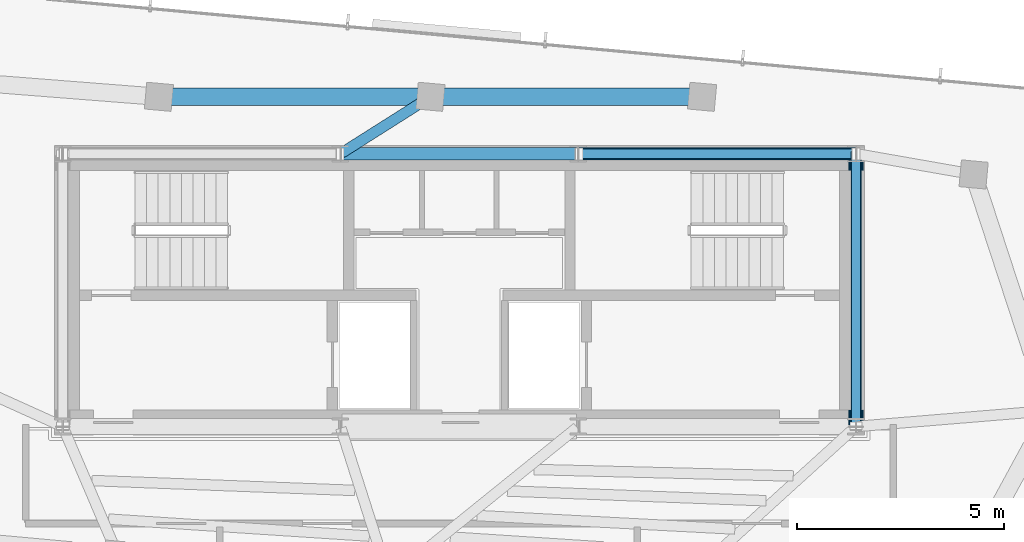
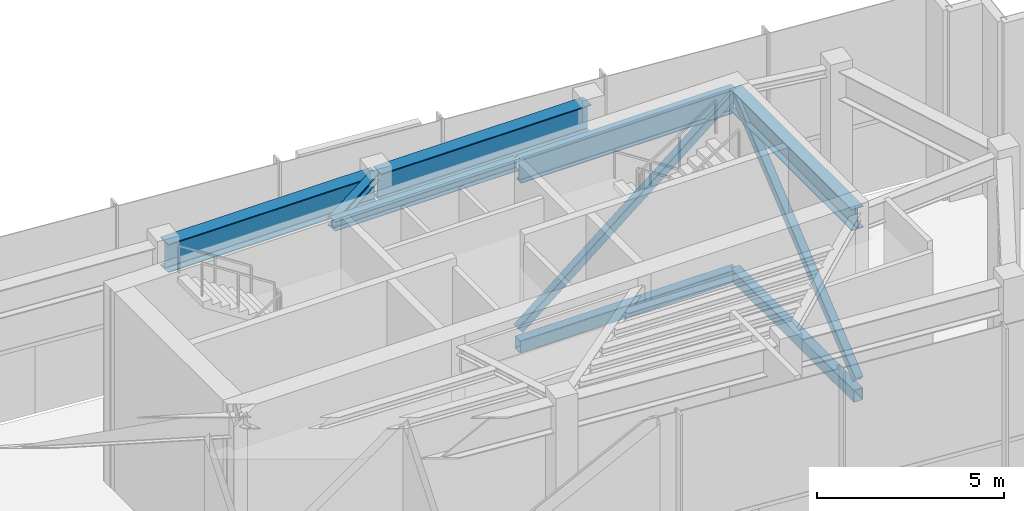
# One storey, part 8 of 19: 6 beams, 4 members.
"""IFC4 building model written with IfcOpenShell, lengths in metres."""

from ifc_helpers import new_model, si_unit, direction, frame, origin, origin_2d, place, context, subcontext, project, spatial, hollow_rectangle, i_section, extrude, source, transform, mapped, material, material_profile, profile_set, type_object, type_shapes, element, save


model = new_model("IFC4")

# Units and contexts
model_context = context("Model", 3, precision=1e-05, world=origin(), true_north=direction((0.0, 1.0)))
body_context = subcontext(model_context, "Body", "Model", "MODEL_VIEW")
ifc_project = project(units=[si_unit("LENGTHUNIT", "METRE"), si_unit("AREAUNIT", "SQUARE_METRE"), si_unit("VOLUMEUNIT", "CUBIC_METRE"), si_unit("PLANEANGLEUNIT", "RADIAN"), si_unit("MASSUNIT", "GRAM", prefix="KILO")], contexts=[model_context])

# Site, building, storey
site_placement = place(None, origin())
site = spatial("IfcSite", under=ifc_project, at=site_placement, CompositionType="ELEMENT")
building_placement = place(site_placement, origin())
building = spatial("IfcBuilding", under=site, at=building_placement, Name="Astriad Promenade Condominiums", CompositionType="ELEMENT")
storey_placement = place(building_placement, frame((0.0, 0.0, 283.800048828125)))
storey = spatial("IfcBuildingStorey", under=building, at=storey_placement, Name="L79", CompositionType="ELEMENT", Elevation=283.800048828125)

# Beams
ifc_material_1 = material(Name="Steel ASTM A992 Grade 50", Category="steel")
ifc_material_profile_1 = material_profile(ifc_material_1, i_section(OverallWidth=0.267822265625, OverallDepth=0.76953125, WebThickness=0.015625, FlangeThickness=0.025390625, FilletRadius=0.021484375, at=origin_2d()), Name="W30X132")
ifc_profile_set_1 = profile_set([ifc_material_profile_1], Name="Steel ASTM A992 Grade 50")
beam_type_1 = type_object("IfcBeamType", Name="STEEL FLOOR GIRDER W30X132", PredefinedType="BEAM", material=ifc_profile_set_1)
shared_shape_1 = source(origin(), body_context, "Body", "SweptSolid", [
    extrude(i_section(OverallWidth=0.267822265625, OverallDepth=0.76953125, WebThickness=0.015625, FlangeThickness=0.025390625, FilletRadius=0.021484375, at=origin_2d()), origin(), (0.0, 0.0, 1.0), 6.64013671875),
])
type_shapes(beam_type_1, [shared_shape_1])
beam_1_placement = place(storey_placement, frame((38.919921875, 24.0, 5.835205078125), z_axis=(1.0, 0.0, 0.0), x_axis=(0.0, 1.0, 0.0)))
element("IfcBeam", 1, at=beam_1_placement, inside=storey, type_object=beam_type_1, Name="Core Ring Beam CG-N3-L79", PredefinedType="BEAM", context=body_context, shape_type="MappedRepresentation", body=[
    mapped(shared_shape_1, transform((0.0, 0.0, 0.0), scale=1.0)),
])
ifc_material_profile_2 = material_profile(ifc_material_1, i_section(OverallWidth=0.3046875, OverallDepth=0.307861328125, WebThickness=0.010009765625, FlangeThickness=0.015380859375, FilletRadius=0.01513671875, at=origin_2d()), Name="W12X65")
ifc_profile_set_2 = profile_set([ifc_material_profile_2], Name="Steel ASTM A992 Grade 50")
beam_type_2 = type_object("IfcBeamType", Name="STEEL OPENING LINTEL W12X65", PredefinedType="LINTEL", material=ifc_profile_set_2)
shared_shape_2 = source(origin(), body_context, "Body", "SweptSolid", [
    extrude(i_section(OverallWidth=0.3046875, OverallDepth=0.307861328125, WebThickness=0.010009765625, FlangeThickness=0.015380859375, FilletRadius=0.01513671875, at=origin_2d()), origin(), (0.0, 0.0, 1.0), 5.68017578125),
])
type_shapes(beam_type_2, [shared_shape_2])
beam_2_placement = place(storey_placement, frame((33.159912109375, 24.0, 6.066162109375), z_axis=(1.0, 0.0, 0.0), x_axis=(0.0, 1.0, 0.0)))
element("IfcBeam", 2, at=beam_2_placement, inside=storey, type_object=beam_type_2, Name="Core Ring Beam CG-N2-L79", PredefinedType="LINTEL", context=body_context, shape_type="MappedRepresentation", body=[
    mapped(shared_shape_2, transform((0.0, 0.0, 0.0), scale=1.0)),
])
ifc_material_profile_3 = material_profile(ifc_material_1, i_section(OverallWidth=0.35791015625, OverallDepth=0.706298828125, WebThickness=0.018310546875, FlangeThickness=0.0302734375, FilletRadius=0.020263671875, at=origin_2d()), Name="W27X178")
ifc_profile_set_3 = profile_set([ifc_material_profile_3], Name="Steel ASTM A992 Grade 50")
beam_type_3 = type_object("IfcBeamType", Name="STEEL FLOOR GIRDER W27X178", PredefinedType="BEAM", material=ifc_profile_set_3)
shared_shape_3 = source(origin(), body_context, "Body", "SweptSolid", [
    extrude(i_section(OverallWidth=0.35791015625, OverallDepth=0.706298828125, WebThickness=0.018310546875, FlangeThickness=0.0302734375, FilletRadius=0.020263671875, at=origin_2d()), origin(), (0.0, 0.0, 1.0), 6.52001953125),
])
type_shapes(beam_type_3, [shared_shape_3])
beam_3_placement = place(storey_placement, frame((45.60009765625, 17.43994140625, 5.86669921875), z_axis=(0.0, 1.0, 0.0), x_axis=(-1.0, 0.0, 0.0)))
element("IfcBeam", 3, at=beam_3_placement, inside=storey, type_object=beam_type_3, Name="Core Ring Beam CG-E1-L79", PredefinedType="BEAM", context=body_context, shape_type="MappedRepresentation", body=[
    mapped(shared_shape_3, transform((0.0, 0.0, 0.0), scale=1.0)),
])
ifc_material_profile_4 = material_profile(ifc_material_1, i_section(OverallWidth=0.25732421875, OverallDepth=0.26416015625, WebThickness=0.011962890625, FlangeThickness=0.01953125, FilletRadius=0.0126953125, at=origin_2d()), Name="W10X68")
ifc_profile_set_4 = profile_set([ifc_material_profile_4], Name="Steel ASTM A992 Grade 50")
beam_type_4 = type_object("IfcBeamType", Name="STEEL CANOPY BEAM W10X68", PredefinedType="BEAM", material=ifc_profile_set_4)
shared_shape_4 = source(origin(), body_context, "Body", "SweptSolid", [
    extrude(i_section(OverallWidth=0.25732421875, OverallDepth=0.26416015625, WebThickness=0.011962890625, FlangeThickness=0.01953125, FilletRadius=0.0126953125, at=origin_2d()), origin(), (0.0, 0.0, 1.0), 2.50048828125),
])
type_shapes(beam_type_4, [shared_shape_4])
beam_4_placement = place(storey_placement, frame((35.2666015625, 25.358642578125, 6.087890625), z_axis=(-0.844989692299, -0.534782591255, 0.0), x_axis=(0.534782591255, -0.844989692299, 0.0)))
element("IfcBeam", 4, at=beam_4_placement, inside=storey, type_object=beam_type_4, Name="Primary Floor Girder PG-NC-L79", PredefinedType="BEAM", context=body_context, shape_type="MappedRepresentation", body=[
    mapped(shared_shape_4, transform((0.0, 0.0, 0.0), scale=1.0)),
])
ifc_material_profile_5 = material_profile(ifc_material_1, i_section(OverallWidth=0.418212890625, OverallDepth=0.926513671875, WebThickness=0.019287109375, FlangeThickness=0.031982421875, FilletRadius=0.024169921875, at=origin_2d()), Name="W36X231")
ifc_profile_set_5 = profile_set([ifc_material_profile_5], Name="Steel ASTM A992 Grade 50")
beam_type_5 = type_object("IfcBeamType", Name="STEEL CROWN RING BEAM W36X231", PredefinedType="BEAM", material=ifc_profile_set_5)
shared_shape_5 = source(origin(), body_context, "Body", "SweptSolid", [
    extrude(i_section(OverallWidth=0.418212890625, OverallDepth=0.926513671875, WebThickness=0.019287109375, FlangeThickness=0.031982421875, FilletRadius=0.024169921875, at=origin_2d()), origin(), (0.0, 0.0, 1.0), 6.49267578125),
])
type_shapes(beam_type_5, [shared_shape_5])
for number, where, z_axis, x_axis, name in (
    (5, (41.8330078125, 25.3798828125, 5.756591796875), (-1.0, 0.0, 0.0), (0.0, -1.0, 0.0), "Perimeter Spandrel Beam SP-N3-L79"),
    (6, (35.26025390625, 25.3798828125, 5.756591796875), (-1.0, 0.0, 0.0), (0.0, -1.0, 0.0), "Perimeter Spandrel Beam SP-N2-L79"),
):
    element("IfcBeam", number, at=place(storey_placement, frame(where, z_axis=z_axis, x_axis=x_axis)), inside=storey, type_object=beam_type_5, Name=name, PredefinedType="BEAM", context=body_context, shape_type="MappedRepresentation", body=[
        mapped(shared_shape_5, transform((0.0, 0.0, 0.0), scale=1.0)),
    ])

# Members
ifc_material_2 = material(Name="Steel ASTM A500 Grade C", Category="steel")
ifc_material_profile_6 = material_profile(ifc_material_2, hollow_rectangle(XDim=0.3046875, YDim=0.406494140625, WallThickness=0.014892578125, InnerFilletRadius=0.014892578125, OuterFilletRadius=0.029541015625, at=origin_2d()), Name="HSS406X305X15.9")
ifc_profile_set_6 = profile_set([ifc_material_profile_6], Name="Steel ASTM A500 Grade C")
member_type_1 = type_object("IfcMemberType", Name="HSS CROWN RING CHORD 406X305", PredefinedType="CHORD", material=ifc_profile_set_6)
shared_shape_6 = source(origin(), body_context, "Body", "SweptSolid", [
    extrude(hollow_rectangle(XDim=0.3046875, YDim=0.406494140625, WallThickness=0.014892578125, InnerFilletRadius=0.014892578125, OuterFilletRadius=0.029541015625, at=origin_2d()), origin(), (0.0, 0.0, 1.0), 6.7099609375),
])
member_1_placement = place(storey_placement, frame((38.885009765625, 24.0, 0.119873046875), z_axis=(1.0, 0.0, 0.0), x_axis=(0.0, 1.0, 0.0)))
element("IfcMember", 7, at=member_1_placement, inside=storey, type_object=member_type_1, Name="Crown Ring Interior Chord HCHORD-L79-02", PredefinedType="CHORD", context=body_context, shape_type="MappedRepresentation", body=[
    mapped(shared_shape_6, transform((0.0, 0.0, 0.0), scale=1.0)),
])
ifc_material_profile_7 = material_profile(ifc_material_2, hollow_rectangle(XDim=0.25390625, YDim=0.25390625, WallThickness=0.01171875, InnerFilletRadius=0.01171875, OuterFilletRadius=0.023681640625, at=origin_2d()), Name="HSS254X254X12.7")
ifc_profile_set_7 = profile_set([ifc_material_profile_7], Name="Steel ASTM A500 Grade C")
member_type_2 = type_object("IfcMemberType", Name="HSS CROWN RING DIAGONAL 254X254", PredefinedType="BRACE", material=ifc_profile_set_7)
shared_shape_7 = source(origin(), body_context, "Body", "SweptSolid", [
    extrude(hollow_rectangle(XDim=0.25390625, YDim=0.25390625, WallThickness=0.01171875, InnerFilletRadius=0.01171875, OuterFilletRadius=0.023681640625, at=origin_2d()), origin(), (0.0, 0.0, 1.0), 8.602294921875),
])
member_2_placement = place(storey_placement, frame((38.8994140625, 24.0, 0.6357421875), z_axis=(0.776681444214, 0.0, 0.629893589596), x_axis=(0.0, 1.0, 0.0)))
element("IfcMember", 8, at=member_2_placement, inside=storey, type_object=member_type_2, Name="Crown Ring Interior Brace HBRACE-L79-02", PredefinedType="BRACE", context=body_context, shape_type="MappedRepresentation", body=[
    mapped(shared_shape_7, transform((0.0, 0.0, 0.0), scale=1.0)),
])
shared_shape_8 = source(origin(), body_context, "Body", "SweptSolid", [
    extrude(hollow_rectangle(XDim=0.3046875, YDim=0.406494140625, WallThickness=0.014892578125, InnerFilletRadius=0.014892578125, OuterFilletRadius=0.029541015625, at=origin_2d()), origin(), (0.0, 0.0, 1.0), 6.590087890625),
])
type_shapes(member_type_1, [shared_shape_6, shared_shape_8])
member_3_placement = place(storey_placement, frame((45.60009765625, 17.405029296875, 0.119873046875), z_axis=(0.0, 1.0, 0.0), x_axis=(-1.0, 0.0, 0.0)))
element("IfcMember", 9, at=member_3_placement, inside=storey, type_object=member_type_1, Name="Crown Ring Interior Chord HCHORD-L79-04", PredefinedType="CHORD", context=body_context, shape_type="MappedRepresentation", body=[
    mapped(shared_shape_8, transform((0.0, 0.0, 0.0), scale=1.0)),
])
shared_shape_9 = source(origin(), body_context, "Body", "SweptSolid", [
    extrude(hollow_rectangle(XDim=0.25390625, YDim=0.25390625, WallThickness=0.01171875, InnerFilletRadius=0.01171875, OuterFilletRadius=0.023681640625, at=origin_2d()), origin(), (0.0, 0.0, 1.0), 8.509521484375),
])
type_shapes(member_type_2, [shared_shape_7, shared_shape_9])
member_4_placement = place(storey_placement, frame((45.60009765625, 17.419189453125, 0.6357421875), z_axis=(0.0, 0.771087298108, 0.636729439162), x_axis=(-1.0, 0.0, 0.0)))
element("IfcMember", 10, at=member_4_placement, inside=storey, type_object=member_type_2, Name="Crown Ring Interior Brace HBRACE-L79-04", PredefinedType="BRACE", context=body_context, shape_type="MappedRepresentation", body=[
    mapped(shared_shape_9, transform((0.0, 0.0, 0.0), scale=1.0)),
])

save(model, "model.ifc")
